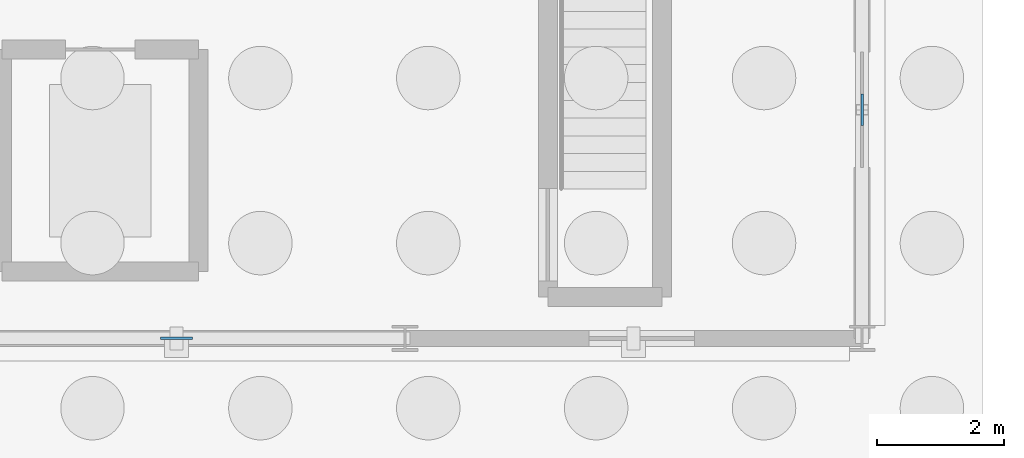
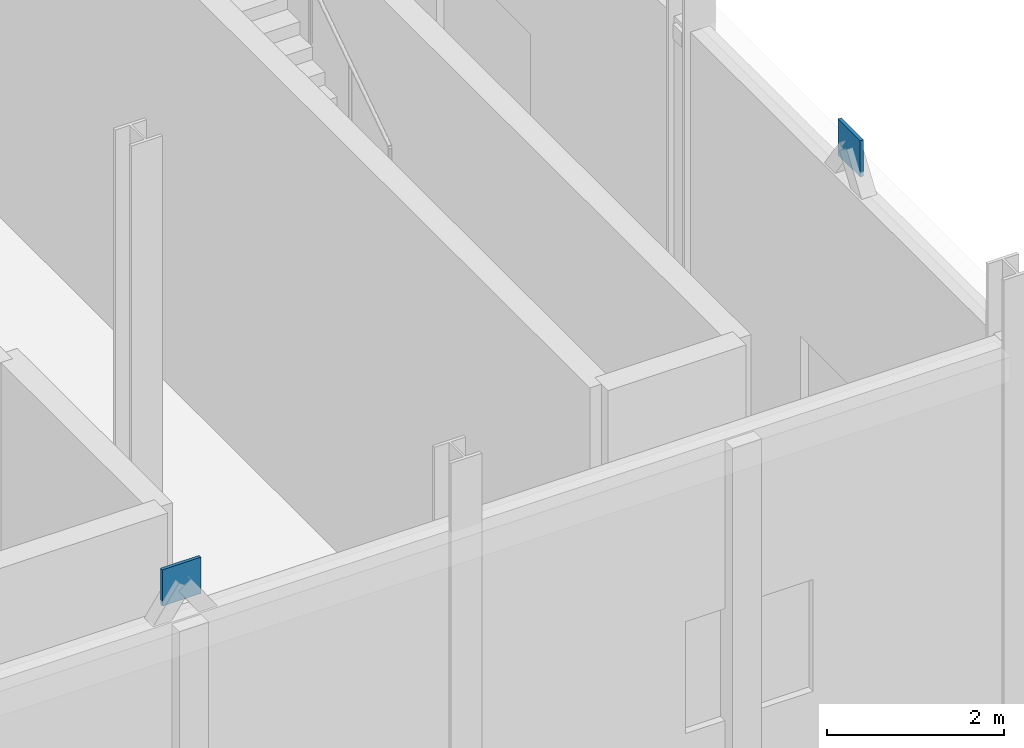
# One storey, part 27 of 45: 2 plates.
"""IFC4 building model written with IfcOpenShell, lengths in metres."""

from ifc_helpers import new_model, si_unit, direction, frame, origin, origin_2d, place, context, subcontext, project, spatial, rectangle, extrude, material, layer, layer_set, type_object, element, save


model = new_model("IFC4")

# Units and contexts
model_context = context("Model", 3, precision=1e-05, world=origin(), true_north=direction((0.0, 1.0)))
body_context = subcontext(model_context, "Body", "Model", "MODEL_VIEW")
ifc_project = project(units=[si_unit("LENGTHUNIT", "METRE"), si_unit("AREAUNIT", "SQUARE_METRE"), si_unit("VOLUMEUNIT", "CUBIC_METRE"), si_unit("PLANEANGLEUNIT", "RADIAN"), si_unit("MASSUNIT", "GRAM", prefix="KILO")], contexts=[model_context])

# Site, building, storey
site_placement = place(None, origin())
site = spatial("IfcSite", under=ifc_project, at=site_placement, CompositionType="ELEMENT")
building_placement = place(site_placement, origin())
building = spatial("IfcBuilding", under=site, at=building_placement, Name="Yarey Park Central Fire Station", CompositionType="ELEMENT")
storey_placement = place(building_placement, origin())
storey = spatial("IfcBuildingStorey", under=building, at=storey_placement, Name="L01", CompositionType="ELEMENT", Elevation=0.0)

# Plates
ifc_material = material(Name="Steel ASTM A572 Gr. 50", Category="steel")
ifc_layer = layer(ifc_material, 0.0419921875)
ifc_layer_set = layer_set([ifc_layer], Name="Steel ASTM A572 Gr. 50")
plate_type = type_object("IfcPlateType", Name="STR_PLT_NODE2", PredefinedType="USERDEFINED", material=ifc_layer_set)
plate_1_placement = place(storey_placement, frame((165.60009765625, 3.60009765625, 5.199951171875), z_axis=(0.0, 0.0, 1.0), x_axis=(1.0, 0.0, 0.0)))
element("IfcPlate", 1, at=plate_1_placement, inside=storey, type_object=plate_type, Name="NODE_PLT_DT_L01_1", ObjectType="GUSSET_PLATE", PredefinedType="USERDEFINED", context=body_context, shape_type="SweptSolid", body=[
    extrude(rectangle(XDim=0.0419921875, YDim=0.5, at=origin_2d()), origin(), (0.0, 0.0, 1.0), 0.5),
])
plate_2_placement = place(storey_placement, frame((154.800048828125, 0.0, 5.199951171875), z_axis=(0.0, 0.0, 1.0), x_axis=(1.0, 0.0, 0.0)))
element("IfcPlate", 2, at=plate_2_placement, inside=storey, type_object=plate_type, Name="NODE_PLT_DT_L01_2", ObjectType="GUSSET_PLATE", PredefinedType="USERDEFINED", context=body_context, shape_type="SweptSolid", body=[
    extrude(rectangle(XDim=0.5, YDim=0.0419921875, at=origin_2d()), origin(), (0.0, 0.0, 1.0), 0.5),
])

save(model, "model.ifc")
